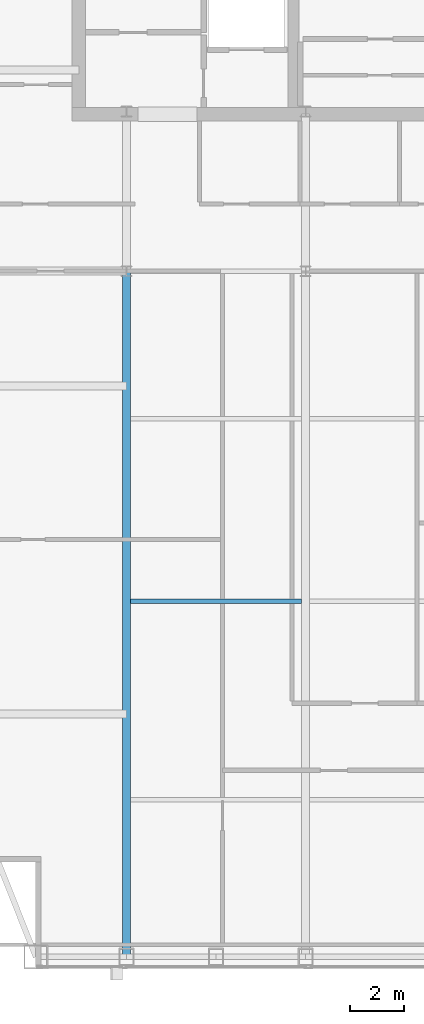
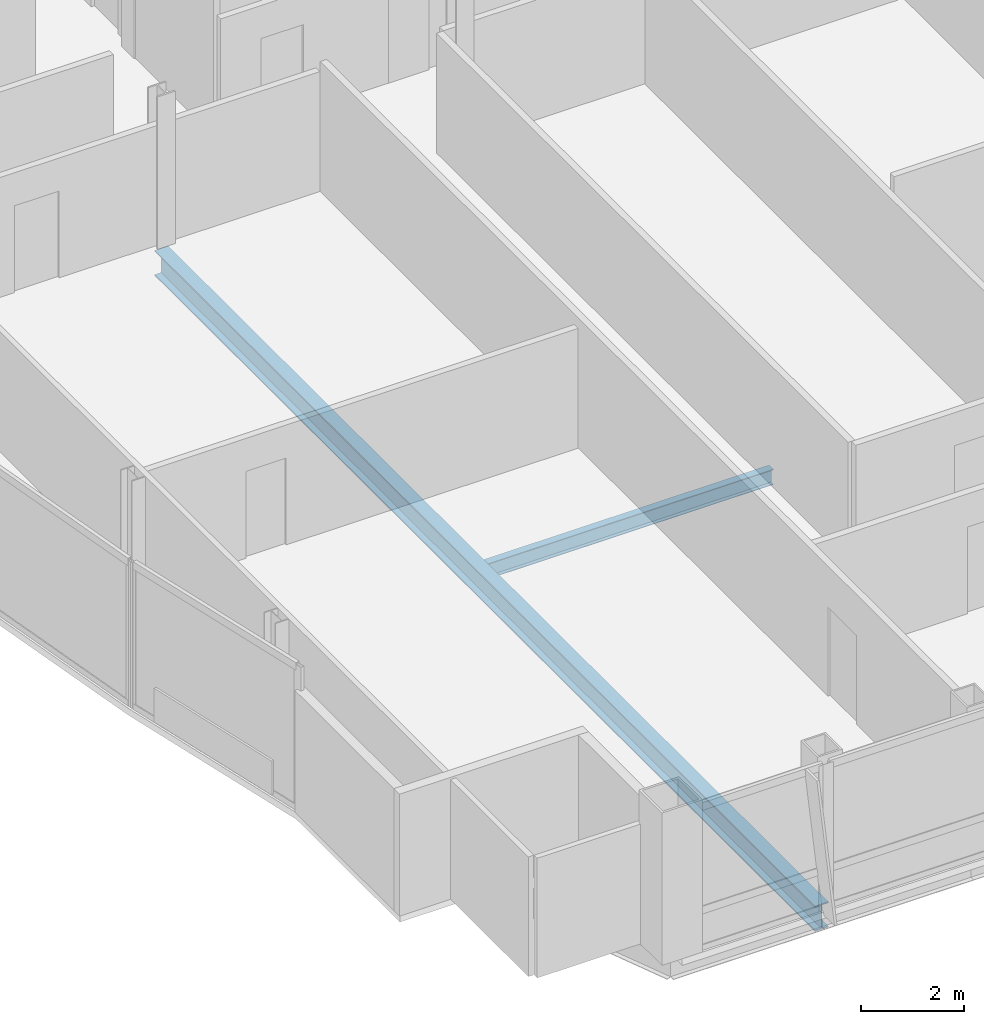
# One storey, part 6 of 29: 2 beams.
"""IFC4 building model written with IfcOpenShell, lengths in metres."""

import ifcopenshell
import ifcopenshell.guid

model = None  # the IFC model being written
_history = None  # IfcOwnerHistory: only IFC2X3 demands one
_inside = {}  # id of a spatial element -> (the spatial element, [elements in it])
_under = {}  # id of a project, library or spatial element -> (it, [spatial elements below it])
_declared = {}  # id of a project -> (the project, [libraries it declares])
_typed = {}  # id of a type object -> (the type object, [elements of that type])
_made_of = {}  # id of a material, layer set ... -> (it, [elements and type objects made of it])


def new_model(schema):
    """Start an empty IFC model of exactly this schema.

    Asked for "IFC4X3", IfcOpenShell would pick the latest addendum, in which some entities
    have other attributes; the version numbers below select the first issue.
    IFC2X3 requires an IfcOwnerHistory on every rooted entity: one is made here for all.
    """
    global model, _history
    if schema == "IFC4X3":
        model = ifcopenshell.file(schema_version=(4, 3, 0, 0))
    else:
        model = ifcopenshell.file(schema=schema)
    _inside.clear()
    _under.clear()
    _declared.clear()
    _typed.clear()
    _made_of.clear()
    _history = None
    if model.schema == "IFC2X3":
        org = make("IfcOrganization", Name="unknown")
        user = make(
            "IfcPersonAndOrganization",
            ThePerson=make("IfcPerson", FamilyName="unknown"),
            TheOrganization=org,
        )
        app = make(
            "IfcApplication",
            ApplicationDeveloper=org,
            Version="unknown",
            ApplicationFullName="unknown",
            ApplicationIdentifier="unknown",
        )
        _history = make(
            "IfcOwnerHistory",
            OwningUser=user,
            OwningApplication=app,
            ChangeAction="ADDED",
            CreationDate=0,
        )
    return model


def make(cls, **values):
    """One entity of the class cls with the attributes given. An attribute that is None is left unset."""
    return model.create_entity(
        cls, **{name: value for name, value in values.items() if value is not None}
    )


def rooted(cls, **values):
    """An entity with a GlobalId (a new one), such as an element, a storey or a relation."""
    return make(cls, GlobalId=ifcopenshell.guid.new(), OwnerHistory=_history, **values)


def si_unit(unit_type, name, prefix=None):
    """IfcSIUnit, for example si_unit("LENGTHUNIT", "METRE", prefix="MILLI")."""
    return make("IfcSIUnit", UnitType=unit_type, Prefix=prefix, Name=name)


def assignment(units):
    """IfcUnitAssignment: the units of a project."""
    return None if units is None else make("IfcUnitAssignment", Units=units)


def point(xyz):
    """IfcCartesianPoint."""
    return None if xyz is None else make("IfcCartesianPoint", Coordinates=xyz)


def direction(xyz):
    """IfcDirection."""
    return None if xyz is None else make("IfcDirection", DirectionRatios=xyz)


def frame(location, z_axis=None, x_axis=None):
    """IfcAxis2Placement3D, a coordinate frame: its origin and axes. An axis left out is left unset."""
    return make(
        "IfcAxis2Placement3D",
        Location=point(location),
        Axis=direction(z_axis),
        RefDirection=direction(x_axis),
    )


def frame_2d(location, x_axis=None):
    """IfcAxis2Placement2D, a coordinate frame in the plane: its origin and x axis."""
    return make(
        "IfcAxis2Placement2D", Location=point(location), RefDirection=direction(x_axis)
    )


def origin():
    """The frame at (0, 0, 0) with its axes left unset."""
    return frame((0.0, 0.0, 0.0))


def origin_2d():
    """The frame at (0, 0) in the plane with its x axis left unset."""
    return frame_2d((0.0, 0.0))


def place(relative_to, where):
    """IfcLocalPlacement: puts the frame where relative to a parent placement (None: the world)."""
    return make(
        "IfcLocalPlacement", PlacementRelTo=relative_to, RelativePlacement=where
    )


def context(
    kind, dimensions, precision=None, world=None, true_north=None, identifier=None
):
    """IfcGeometricRepresentationContext, for example the 3D "Model" context."""
    return make(
        "IfcGeometricRepresentationContext",
        ContextIdentifier=identifier,
        ContextType=kind,
        CoordinateSpaceDimension=dimensions,
        Precision=precision,
        WorldCoordinateSystem=world,
        TrueNorth=true_north,
    )


def subcontext(parent, identifier, kind, view, scale=None):
    """IfcGeometricRepresentationSubContext, for example "Body" below "Model"."""
    return make(
        "IfcGeometricRepresentationSubContext",
        ContextIdentifier=identifier,
        ContextType=kind,
        ParentContext=parent,
        TargetScale=scale,
        TargetView=view,
    )


def project(units=None, contexts=None):
    """IfcProject with its units and contexts."""
    return rooted(
        "IfcProject",
        Name="project",
        RepresentationContexts=contexts,
        UnitsInContext=assignment(units),
    )


def spatial(cls, under=None, at=None, **own):
    """A site, building, storey or space (cls), placed at a placement, below another one or the project."""
    s = rooted(cls, ObjectPlacement=at, **own)
    if under is not None:
        _under.setdefault(under.id(), (under, []))[1].append(s)
    return s


def profile(cls, at=None, kind="AREA", **sizes):
    """A parametric profile (cls). Its sizes go by their IFC names, for example OverallWidth=200.0."""
    return make(cls, ProfileType=kind, Position=at, **sizes)


def i_section(**sizes):
    """IfcIShapeProfileDef."""
    return profile("IfcIShapeProfileDef", **sizes)


def extrude(swept, where, along, depth):
    """IfcExtrudedAreaSolid: the profile swept, set in the frame where, extruded along a direction by depth."""
    return make(
        "IfcExtrudedAreaSolid",
        SweptArea=swept,
        Position=where,
        ExtrudedDirection=direction(along),
        Depth=depth,
    )


def shape(context_of_items, identifier, shape_type, items):
    """IfcShapeRepresentation: the items that make up one representation, for example the "Body"."""
    return make(
        "IfcShapeRepresentation",
        ContextOfItems=context_of_items,
        RepresentationIdentifier=identifier,
        RepresentationType=shape_type,
        Items=items,
    )


def material(Name=None, Category=None):
    """IfcMaterial."""
    return make("IfcMaterial", Name=Name, Category=Category)


def material_profile(
    of_material, cross_section, Name=None, Category=None, Priority=None
):
    """IfcMaterialProfile: a cross section and its material."""
    return make(
        "IfcMaterialProfile",
        Name=Name,
        Material=of_material,
        Profile=cross_section,
        Priority=Priority,
        Category=Category,
    )


def profile_set(profiles, Name=None, composite=None):
    """IfcMaterialProfileSet."""
    return make(
        "IfcMaterialProfileSet",
        Name=Name,
        MaterialProfiles=profiles,
        CompositeProfile=composite,
    )


def made_of(thing, what):
    """Note that an element or type object is made of a material, layer set ...; save() writes the relation."""
    if what is not None:
        _made_of.setdefault(what.id(), (what, []))[1].append(thing)
    return thing


def type_object(cls, material=None, **own):
    """A type object (cls), such as IfcWallType, which elements share."""
    return made_of(rooted(cls, **own), material)


def element(
    cls,
    number,
    at=None,
    inside=None,
    cuts=None,
    type_object=None,
    material=None,
    context=None,
    identifier="Body",
    shape_type=None,
    held_by="IfcProductDefinitionShape",
    body=None,
    shapes=None,
    **own,
):
    """One element of the class cls, such as IfcWall. Its Tag is "e" and its number.

    at: its placement. inside: the storey or other place that contains it. cuts: it is an
    opening in that element (IfcRelVoidsElement). A single representation is given by context,
    identifier, shape_type and body (its items); several are given by shapes. held_by: the class
    of the entity that holds the representations. save() writes the other relations.
    """
    e = rooted(cls, Tag="e%d" % number, ObjectPlacement=at, **own)
    if body is not None:
        shapes = [shape(context, identifier, shape_type, body)]
    if shapes is not None:
        e.Representation = make(held_by, Representations=shapes)
    if inside is not None:
        _inside.setdefault(inside.id(), (inside, []))[1].append(e)
    if cuts is not None:
        rooted(
            "IfcRelVoidsElement", RelatingBuildingElement=cuts, RelatedOpeningElement=e
        )
    if type_object is not None:
        _typed.setdefault(type_object.id(), (type_object, []))[1].append(e)
    return made_of(e, material)


def aggregate(whole, parts):
    """IfcRelAggregates: a whole, such as a stair, and the parts it consists of."""
    return rooted("IfcRelAggregates", RelatingObject=whole, RelatedObjects=parts)


def save(model, path):
    """Write the relations noted so far, then the file.

    IfcRelAggregates (storeys below a building ...), IfcRelContainedInSpatialStructure (elements
    in a storey), IfcRelDefinesByType, IfcRelAssociatesMaterial and IfcRelDeclares: one each for
    every whole, place, type object, material and project.
    """
    for whole, parts in _under.values():
        aggregate(whole, parts)
    for where, things in _inside.values():
        rooted(
            "IfcRelContainedInSpatialStructure",
            RelatedElements=things,
            RelatingStructure=where,
        )
    for kind, things in _typed.values():
        rooted("IfcRelDefinesByType", RelatedObjects=things, RelatingType=kind)
    for what, things in _made_of.values():
        rooted("IfcRelAssociatesMaterial", RelatedObjects=things, RelatingMaterial=what)
    for by, libraries in _declared.values():
        rooted("IfcRelDeclares", RelatingContext=by, RelatedDefinitions=libraries)
    model.write(path)


model = new_model("IFC4")

# Units and contexts
model_context = context("Model", 3, precision=1e-05, world=origin(), true_north=direction((0.0, 1.0)))
body_context = subcontext(model_context, "Body", "Model", "MODEL_VIEW")
ifc_project = project(units=[si_unit("LENGTHUNIT", "METRE"), si_unit("AREAUNIT", "SQUARE_METRE"), si_unit("VOLUMEUNIT", "CUBIC_METRE"), si_unit("PLANEANGLEUNIT", "RADIAN"), si_unit("MASSUNIT", "GRAM", prefix="KILO")], contexts=[model_context])

# Site, building, storey
site_placement = place(None, origin())
site = spatial("IfcSite", under=ifc_project, at=site_placement, CompositionType="ELEMENT")
building_placement = place(site_placement, origin())
building = spatial("IfcBuilding", under=site, at=building_placement, Name="Khoronbel Lancet Exchange", CompositionType="ELEMENT")
storey_placement = place(building_placement, frame((0.0, 0.0, 318.199951171875)))
storey = spatial("IfcBuildingStorey", under=building, at=storey_placement, Name="L82", CompositionType="ELEMENT", Elevation=318.199951171875)

# Beams
ifc_material = material(Name="Steel S355", Category="steel")
ifc_material_profile_1 = material_profile(ifc_material, i_section(OverallWidth=0.300048828125, OverallDepth=0.60009765625, WebThickness=0.015380859375, FlangeThickness=0.030029296875, at=origin_2d()), Name="HEB 600")
ifc_profile_set_1 = profile_set([ifc_material_profile_1], Name="Steel S355")
beam_type_1 = type_object("IfcBeamType", Name="BM-BG5", PredefinedType="BEAM", material=ifc_profile_set_1)
beam_1_placement = place(storey_placement, frame((18.22509765625, 10.14990234375, -0.4599609375), z_axis=(0.0, 1.0, 0.0), x_axis=(-1.0, 0.0, 0.0)))
element("IfcBeam", 1, at=beam_1_placement, inside=storey, type_object=beam_type_1, Name="Level L82 south primary girder GS1", PredefinedType="BEAM", context=body_context, shape_type="SweptSolid", body=[
    extrude(i_section(OverallWidth=0.300048828125, OverallDepth=0.60009765625, WebThickness=0.015380859375, FlangeThickness=0.030029296875, at=origin_2d()), origin(), (0.0, 0.0, 1.0), 25.550048828125),
])
ifc_material_profile_2 = material_profile(ifc_material, i_section(OverallWidth=0.169921875, OverallDepth=0.360107421875, WebThickness=0.008056640625, FlangeThickness=0.0126953125, at=origin_2d()), Name="IPE 360")
ifc_profile_set_2 = profile_set([ifc_material_profile_2], Name="Steel S355")
beam_type_2 = type_object("IfcBeamType", Name="BM-BJ6", PredefinedType="JOIST", material=ifc_profile_set_2)
beam_2_placement = place(storey_placement, frame((18.375, 23.39990234375, -0.33984375), z_axis=(1.0, 0.0, 0.0), x_axis=(0.0, 1.0, 0.0)))
element("IfcBeam", 2, at=beam_2_placement, inside=storey, type_object=beam_type_2, Name="Level L82 secondary composite joist J04", PredefinedType="JOIST", context=body_context, shape_type="SweptSolid", body=[
    extrude(i_section(OverallWidth=0.169921875, OverallDepth=0.360107421875, WebThickness=0.008056640625, FlangeThickness=0.0126953125, at=origin_2d()), origin(), (0.0, 0.0, 1.0), 6.375),
])

save(model, "model.ifc")
